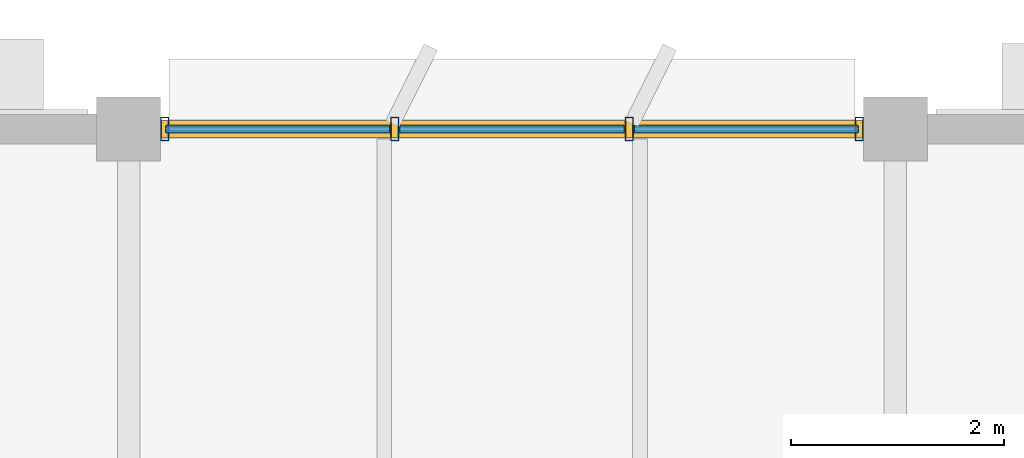
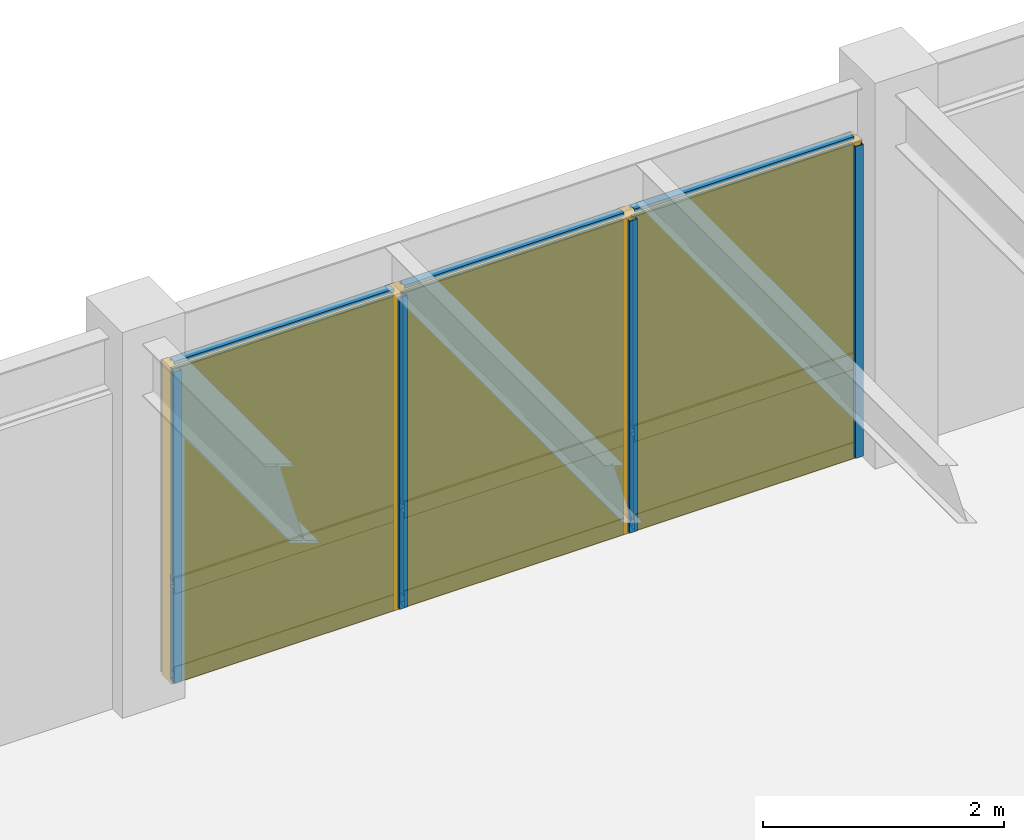
# One storey, part 24 of 35: 13 members, 6 plates, 1 curtain wall.
"""IFC4 building model written with IfcOpenShell, lengths in metres."""

from ifc_helpers import new_model, si_unit, direction, frame, origin, origin_2d, place, context, subcontext, project, spatial, rectangle, hollow_rectangle, extrude, material, layer, layer_set, material_profile, profile_set, type_object, element, aggregate, save


model = new_model("IFC4")

# Units and contexts
model_context = context("Model", 3, precision=1e-05, world=origin(), true_north=direction((0.0, 1.0)))
body_context = subcontext(model_context, "Body", "Model", "MODEL_VIEW")
ifc_project = project(units=[si_unit("LENGTHUNIT", "METRE"), si_unit("AREAUNIT", "SQUARE_METRE"), si_unit("VOLUMEUNIT", "CUBIC_METRE"), si_unit("PLANEANGLEUNIT", "RADIAN"), si_unit("MASSUNIT", "GRAM", prefix="KILO")], contexts=[model_context])

# Member
ifc_material_1 = material(Name="Anodized Aluminium 6063-T6", Category="aluminium")
ifc_material_profile_1 = material_profile(ifc_material_1, hollow_rectangle(XDim=0.074951171875, YDim=0.219970703125, WallThickness=0.0048828125, at=origin_2d()), Name="ALU 75x220x5")
ifc_profile_set_1 = profile_set([ifc_material_profile_1], Name="Anodized Aluminium 6063-T6")
member_type_1 = type_object("IfcMemberType", Name="CWM-75X180", PredefinedType="MULLION", material=ifc_profile_set_1)
site_placement = place(None, origin())
building_placement = place(site_placement, origin())
storey_placement = place(building_placement, frame((0.0, 0.0, 18.0)))
member_1_placement = place(storey_placement, frame((65.139892578125, 115.199951171875, 0.02001953125), z_axis=(0.0, 0.0, 1.0), x_axis=(1.0, 0.0, 0.0)))
member_1 = element("IfcMember", 1, at=member_1_placement, type_object=member_type_1, Name="Curtain wall mullion CW-L05-09-15-N-00", PredefinedType="MULLION", context=body_context, shape_type="SweptSolid", body=[
    extrude(hollow_rectangle(XDim=0.074951171875, YDim=0.219970703125, WallThickness=0.0048828125, at=origin_2d()), origin(), (0.0, 0.0, 1.0), 3.152099609375),
])

member_2_placement = place(storey_placement, frame((67.300048828125, 115.199951171875, 0.02001953125), z_axis=(0.0, 0.0, 1.0), x_axis=(1.0, 0.0, 0.0)))
member_2 = element("IfcMember", 2, at=member_2_placement, type_object=member_type_1, Name="Curtain wall mullion CW-L05-09-15-N-01", PredefinedType="MULLION", context=body_context, shape_type="SweptSolid", body=[
    extrude(hollow_rectangle(XDim=0.074951171875, YDim=0.219970703125, WallThickness=0.0048828125, at=origin_2d()), origin(), (0.0, 0.0, 1.0), 3.152099609375),
])

member_3_placement = place(storey_placement, frame((69.5, 115.199951171875, 0.02001953125), z_axis=(0.0, 0.0, 1.0), x_axis=(1.0, 0.0, 0.0)))
member_3 = element("IfcMember", 3, at=member_3_placement, type_object=member_type_1, Name="Curtain wall mullion CW-L05-09-15-N-02", PredefinedType="MULLION", context=body_context, shape_type="SweptSolid", body=[
    extrude(hollow_rectangle(XDim=0.074951171875, YDim=0.219970703125, WallThickness=0.0048828125, at=origin_2d()), origin(), (0.0, 0.0, 1.0), 3.152099609375),
])

member_4_placement = place(storey_placement, frame((71.659912109375, 115.199951171875, 0.02001953125), z_axis=(0.0, 0.0, 1.0), x_axis=(1.0, 0.0, 0.0)))
member_4 = element("IfcMember", 4, at=member_4_placement, type_object=member_type_1, Name="Curtain wall mullion CW-L05-09-15-N-03", PredefinedType="MULLION", context=body_context, shape_type="SweptSolid", body=[
    extrude(hollow_rectangle(XDim=0.074951171875, YDim=0.219970703125, WallThickness=0.0048828125, at=origin_2d()), origin(), (0.0, 0.0, 1.0), 3.152099609375),
])

ifc_material_profile_2 = material_profile(ifc_material_1, hollow_rectangle(XDim=0.074951171875, YDim=0.159912109375, WallThickness=0.00390625, at=origin_2d()), Name="ALU 75x160x4")
ifc_profile_set_2 = profile_set([ifc_material_profile_2], Name="Anodized Aluminium 6063-T6")
member_type_2 = type_object("IfcMemberType", Name="CWT-75X150", PredefinedType="USERDEFINED", material=ifc_profile_set_2)
member_5_placement = place(storey_placement, frame((65.14990234375, 115.199951171875, 0.050048828125), z_axis=(1.0, 0.0, 0.0), x_axis=(0.0, 1.0, 0.0)))
member_5 = element("IfcMember", 5, at=member_5_placement, type_object=member_type_2, Name="Curtain wall transom CW-L05-09-15-N-1.01", ObjectType="TRANSOM", PredefinedType="USERDEFINED", context=body_context, shape_type="SweptSolid", body=[
    extrude(hollow_rectangle(XDim=0.074951171875, YDim=0.159912109375, WallThickness=0.00390625, at=origin_2d()), origin(), (0.0, 0.0, 1.0), 2.10009765625),
])

member_6_placement = place(storey_placement, frame((67.35009765625, 115.199951171875, 0.050048828125), z_axis=(1.0, 0.0, 0.0), x_axis=(0.0, 1.0, 0.0)))
member_6 = element("IfcMember", 6, at=member_6_placement, type_object=member_type_2, Name="Curtain wall transom CW-L05-09-15-N-1.02", ObjectType="TRANSOM", PredefinedType="USERDEFINED", context=body_context, shape_type="SweptSolid", body=[
    extrude(hollow_rectangle(XDim=0.074951171875, YDim=0.159912109375, WallThickness=0.00390625, at=origin_2d()), origin(), (0.0, 0.0, 1.0), 2.099853515625),
])

member_7_placement = place(storey_placement, frame((69.550048828125, 115.199951171875, 0.050048828125), z_axis=(1.0, 0.0, 0.0), x_axis=(0.0, 1.0, 0.0)))
member_7 = element("IfcMember", 7, at=member_7_placement, type_object=member_type_2, Name="Curtain wall transom CW-L05-09-15-N-1.03", ObjectType="TRANSOM", PredefinedType="USERDEFINED", context=body_context, shape_type="SweptSolid", body=[
    extrude(hollow_rectangle(XDim=0.074951171875, YDim=0.159912109375, WallThickness=0.00390625, at=origin_2d()), origin(), (0.0, 0.0, 1.0), 2.099853515625),
])

member_8_placement = place(storey_placement, frame((65.14990234375, 115.199951171875, 0.949951171875), z_axis=(1.0, 0.0, 0.0), x_axis=(0.0, 1.0, 0.0)))
member_8 = element("IfcMember", 8, at=member_8_placement, type_object=member_type_2, Name="Curtain wall transom CW-L05-09-15-N-2.01", ObjectType="TRANSOM", PredefinedType="USERDEFINED", context=body_context, shape_type="SweptSolid", body=[
    extrude(hollow_rectangle(XDim=0.074951171875, YDim=0.159912109375, WallThickness=0.00390625, at=origin_2d()), origin(), (0.0, 0.0, 1.0), 2.10009765625),
])

member_9_placement = place(storey_placement, frame((67.35009765625, 115.199951171875, 0.949951171875), z_axis=(1.0, 0.0, 0.0), x_axis=(0.0, 1.0, 0.0)))
member_9 = element("IfcMember", 9, at=member_9_placement, type_object=member_type_2, Name="Curtain wall transom CW-L05-09-15-N-2.02", ObjectType="TRANSOM", PredefinedType="USERDEFINED", context=body_context, shape_type="SweptSolid", body=[
    extrude(hollow_rectangle(XDim=0.074951171875, YDim=0.159912109375, WallThickness=0.00390625, at=origin_2d()), origin(), (0.0, 0.0, 1.0), 2.099853515625),
])

member_10_placement = place(storey_placement, frame((69.550048828125, 115.199951171875, 0.949951171875), z_axis=(1.0, 0.0, 0.0), x_axis=(0.0, 1.0, 0.0)))
member_10 = element("IfcMember", 10, at=member_10_placement, type_object=member_type_2, Name="Curtain wall transom CW-L05-09-15-N-2.03", ObjectType="TRANSOM", PredefinedType="USERDEFINED", context=body_context, shape_type="SweptSolid", body=[
    extrude(hollow_rectangle(XDim=0.074951171875, YDim=0.159912109375, WallThickness=0.00390625, at=origin_2d()), origin(), (0.0, 0.0, 1.0), 2.099853515625),
])

member_11_placement = place(storey_placement, frame((65.14990234375, 115.199951171875, 3.14208984375), z_axis=(1.0, 0.0, 0.0), x_axis=(0.0, 1.0, 0.0)))
member_11 = element("IfcMember", 11, at=member_11_placement, type_object=member_type_2, Name="Curtain wall transom CW-L05-09-15-N-3.01", ObjectType="TRANSOM", PredefinedType="USERDEFINED", context=body_context, shape_type="SweptSolid", body=[
    extrude(hollow_rectangle(XDim=0.074951171875, YDim=0.159912109375, WallThickness=0.00390625, at=origin_2d()), origin(), (0.0, 0.0, 1.0), 2.10009765625),
])

member_12_placement = place(storey_placement, frame((67.35009765625, 115.199951171875, 3.14208984375), z_axis=(1.0, 0.0, 0.0), x_axis=(0.0, 1.0, 0.0)))
member_12 = element("IfcMember", 12, at=member_12_placement, type_object=member_type_2, Name="Curtain wall transom CW-L05-09-15-N-3.02", ObjectType="TRANSOM", PredefinedType="USERDEFINED", context=body_context, shape_type="SweptSolid", body=[
    extrude(hollow_rectangle(XDim=0.074951171875, YDim=0.159912109375, WallThickness=0.00390625, at=origin_2d()), origin(), (0.0, 0.0, 1.0), 2.099853515625),
])

member_13_placement = place(storey_placement, frame((69.550048828125, 115.199951171875, 3.14208984375), z_axis=(1.0, 0.0, 0.0), x_axis=(0.0, 1.0, 0.0)))
member_13 = element("IfcMember", 13, at=member_13_placement, type_object=member_type_2, Name="Curtain wall transom CW-L05-09-15-N-3.03", ObjectType="TRANSOM", PredefinedType="USERDEFINED", context=body_context, shape_type="SweptSolid", body=[
    extrude(hollow_rectangle(XDim=0.074951171875, YDim=0.159912109375, WallThickness=0.00390625, at=origin_2d()), origin(), (0.0, 0.0, 1.0), 2.099853515625),
])

# Plate
ifc_material_2 = material(Name="Acoustic Laminated Low-E Glazing", Category="glass")
ifc_layer_1 = layer(ifc_material_2, 0.0439453125)
ifc_layer_set_1 = layer_set([ifc_layer_1], Name="Acoustic Laminated Low-E Glazing")
plate_type_1 = type_object("IfcPlateType", Name="CWP-IGU-44", PredefinedType="CURTAIN_PANEL", material=ifc_layer_set_1)
plate_1_placement = place(storey_placement, frame((66.199951171875, 115.199951171875, 0.989990234375), z_axis=(0.0, 0.0, 1.0), x_axis=(1.0, 0.0, 0.0)))
plate_1 = element("IfcPlate", 14, at=plate_1_placement, type_object=plate_type_1, Name="Curtain wall vision glazing CW-L05-09-15-N-01", PredefinedType="CURTAIN_PANEL", context=body_context, shape_type="SweptSolid", body=[
    extrude(rectangle(XDim=2.110107421875, YDim=0.0400390625, at=origin_2d()), origin(), (0.0, 0.0, 1.0), 2.14208984375),
])

plate_2_placement = place(storey_placement, frame((68.39990234375, 115.199951171875, 0.989990234375), z_axis=(0.0, 0.0, 1.0), x_axis=(1.0, 0.0, 0.0)))
plate_2 = element("IfcPlate", 15, at=plate_2_placement, type_object=plate_type_1, Name="Curtain wall vision glazing CW-L05-09-15-N-02", PredefinedType="CURTAIN_PANEL", context=body_context, shape_type="SweptSolid", body=[
    extrude(rectangle(XDim=2.110107421875, YDim=0.0400390625, at=origin_2d()), origin(), (0.0, 0.0, 1.0), 2.14208984375),
])

plate_3_placement = place(storey_placement, frame((70.60009765625, 115.199951171875, 0.989990234375), z_axis=(0.0, 0.0, 1.0), x_axis=(1.0, 0.0, 0.0)))
plate_3 = element("IfcPlate", 16, at=plate_3_placement, type_object=plate_type_1, Name="Curtain wall vision glazing CW-L05-09-15-N-03", PredefinedType="CURTAIN_PANEL", context=body_context, shape_type="SweptSolid", body=[
    extrude(rectangle(XDim=2.110107421875, YDim=0.0400390625, at=origin_2d()), origin(), (0.0, 0.0, 1.0), 2.14208984375),
])

ifc_material_3 = material(Name="Insulated Stone-Composite Spandrel", Category="masonry")
ifc_layer_2 = layer(ifc_material_3, 0.068115234375)
ifc_layer_set_2 = layer_set([ifc_layer_2], Name="Insulated Stone-Composite Spandrel")
plate_type_2 = type_object("IfcPlateType", Name="CWP-SPN-68", PredefinedType="CURTAIN_PANEL", material=ifc_layer_set_2)
plate_4_placement = place(storey_placement, frame((66.199951171875, 115.199951171875, 0.080078125), z_axis=(0.0, 0.0, 1.0), x_axis=(1.0, 0.0, 0.0)))
plate_4 = element("IfcPlate", 17, at=plate_4_placement, type_object=plate_type_2, Name="Curtain wall spandrel panel CW-L05-09-15-N-01", PredefinedType="CURTAIN_PANEL", context=body_context, shape_type="SweptSolid", body=[
    extrude(rectangle(XDim=2.110107421875, YDim=0.06005859375, at=origin_2d()), origin(), (0.0, 0.0, 1.0), 0.840087890625),
])

plate_5_placement = place(storey_placement, frame((68.39990234375, 115.199951171875, 0.080078125), z_axis=(0.0, 0.0, 1.0), x_axis=(1.0, 0.0, 0.0)))
plate_5 = element("IfcPlate", 18, at=plate_5_placement, type_object=plate_type_2, Name="Curtain wall spandrel panel CW-L05-09-15-N-02", PredefinedType="CURTAIN_PANEL", context=body_context, shape_type="SweptSolid", body=[
    extrude(rectangle(XDim=2.110107421875, YDim=0.06005859375, at=origin_2d()), origin(), (0.0, 0.0, 1.0), 0.840087890625),
])

plate_6_placement = place(storey_placement, frame((70.60009765625, 115.199951171875, 0.080078125), z_axis=(0.0, 0.0, 1.0), x_axis=(1.0, 0.0, 0.0)))
plate_6 = element("IfcPlate", 19, at=plate_6_placement, type_object=plate_type_2, Name="Curtain wall spandrel panel CW-L05-09-15-N-03", PredefinedType="CURTAIN_PANEL", context=body_context, shape_type="SweptSolid", body=[
    extrude(rectangle(XDim=2.110107421875, YDim=0.06005859375, at=origin_2d()), origin(), (0.0, 0.0, 1.0), 0.840087890625),
])

# Site, building, storey
site = spatial("IfcSite", under=ifc_project, at=site_placement, CompositionType="ELEMENT")
building = spatial("IfcBuilding", under=site, at=building_placement, Name="Sillqori Civic Hall", CompositionType="ELEMENT")
storey = spatial("IfcBuildingStorey", under=building, at=storey_placement, Name="L05", CompositionType="ELEMENT", Elevation=18.0)

# Curtain wall
ifc_material_4 = material(Name="Anodized Aluminium Curtain Wall System", Category="aluminium")
curtain_wall_type = type_object("IfcCurtainWallType", Name="CW-AD-370", PredefinedType="NOTDEFINED", material=ifc_material_4)
curtain_wall_placement = place(storey_placement, frame((68.39990234375, 115.199951171875, 0.0), z_axis=(0.0, 0.0, 1.0), x_axis=(1.0, 0.0, 0.0)))
curtain_wall = element("IfcCurtainWall", 20, at=curtain_wall_placement, inside=storey, type_object=curtain_wall_type, Name="L05 unitised curtain wall CW-L05-09-15-N", PredefinedType="NOTDEFINED", context=body_context, shape_type="SweptSolid", body=[
    extrude(rectangle(XDim=6.60009765625, YDim=0.159912109375, at=origin_2d()), origin(), (0.0, 0.0, 1.0), 3.19189453125),
])

aggregate(curtain_wall, [member_1, member_2, member_3, member_4, member_5, member_6, member_7, member_8, member_9, member_10, member_11, member_12, member_13, plate_4, plate_1, plate_5, plate_2, plate_6, plate_3])

save(model, "model.ifc")
